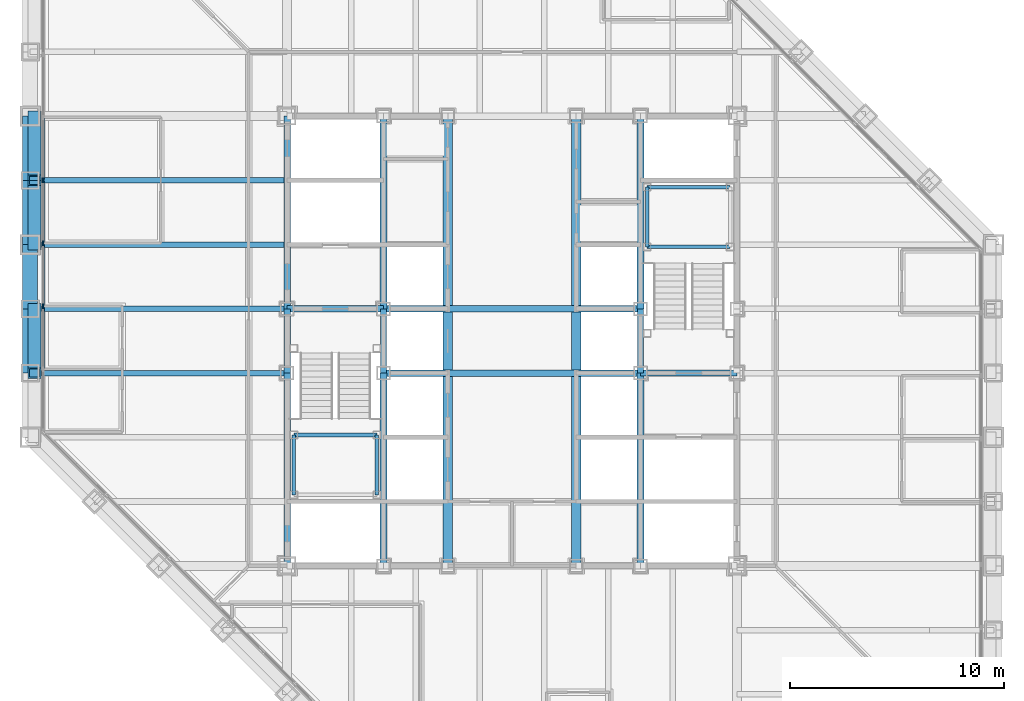
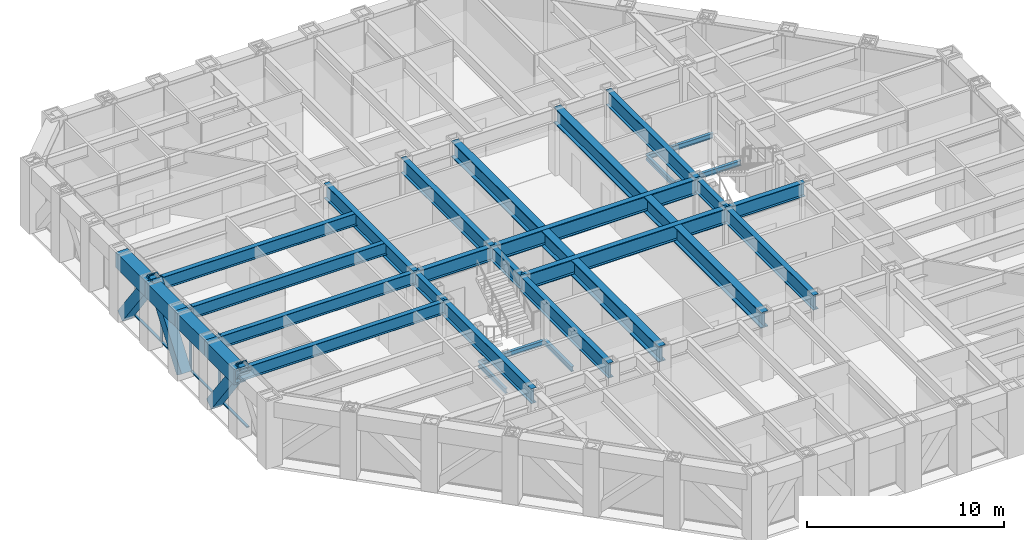
# One storey, part 5 of 17: 33 beams, 10 members, 1 element without a shape of its own.
"""IFC4 building model written with IfcOpenShell, lengths in metres."""

from ifc_helpers import new_model, si_unit, direction, frame, origin, origin_2d, place, context, subcontext, project, spatial, rectangle, hollow_rectangle, i_section, extrude, material, layer, layer_set, material_profile, profile_set, type_object, element, aggregate, save


model = new_model("IFC4")

# Units and contexts
model_context = context("Model", 3, precision=1e-05, world=origin(), true_north=direction((0.0, 1.0)))
body_context = subcontext(model_context, "Body", "Model", "MODEL_VIEW")
ifc_project = project(units=[si_unit("LENGTHUNIT", "METRE"), si_unit("AREAUNIT", "SQUARE_METRE"), si_unit("VOLUMEUNIT", "CUBIC_METRE"), si_unit("PLANEANGLEUNIT", "RADIAN"), si_unit("MASSUNIT", "GRAM", prefix="KILO")], contexts=[model_context])

# Site, building, storey
site_placement = place(None, origin())
site = spatial("IfcSite", under=ifc_project, at=site_placement, CompositionType="ELEMENT")
building_placement = place(site_placement, origin())
building = spatial("IfcBuilding", under=site, at=building_placement, Name="Chuquiago Exchange Tower", CompositionType="ELEMENT")
storey_placement = place(building_placement, frame((0.0, 0.0, 169.800048828125)))
storey = spatial("IfcBuildingStorey", under=building, at=storey_placement, Name="L37", CompositionType="ELEMENT", Elevation=169.800048828125)

# Beams
ifc_material_1 = material(Name="Steel ASTM A992", Category="steel")
ifc_material_profile_1 = material_profile(ifc_material_1, i_section(OverallWidth=0.307373046875, OverallDepth=0.927001953125, WebThickness=0.01953125, FlangeThickness=0.031982421875, at=origin_2d()), Name="W36X194")
ifc_profile_set_1 = profile_set([ifc_material_profile_1], Name="Steel ASTM A992")
beam_type_1 = type_object("IfcBeamType", Name="B10 W36X194", PredefinedType="BEAM", material=ifc_profile_set_1)
for number, where, z_axis, x_axis, name in (
    (1, (12.0, 12.0, 3.576416015625), (0.0, 1.0, 0.0), (-1.0, 0.0, 0.0), "CB-L38-12_12-12_21"),
    (2, (12.0, 24.0, 3.576416015625), (0.0, 1.0, 0.0), (-1.0, 0.0, 0.0), "CB-L38-12_24-12_33"),
    (3, (16.5, 12.0, 3.576416015625), (0.0, 1.0, 0.0), (-1.0, 0.0, 0.0), "CB-L38-16.5_12-16.5_21"),
    (4, (16.5, 24.0, 3.576416015625), (0.0, 1.0, 0.0), (-1.0, 0.0, 0.0), "CB-L38-16.5_24-16.5_33"),
    (5, (28.5, 12.0, 3.576416015625), (0.0, 1.0, 0.0), (-1.0, 0.0, 0.0), "CB-L38-28.5_12-28.5_21"),
    (6, (28.5, 24.0, 3.576416015625), (0.0, 1.0, 0.0), (-1.0, 0.0, 0.0), "CB-L38-28.5_24-28.5_33"),
):
    element("IfcBeam", number, at=place(storey_placement, frame(where, z_axis=z_axis, x_axis=x_axis)), inside=storey, type_object=beam_type_1, Name=name, PredefinedType="BEAM", context=body_context, shape_type="SweptSolid", body=[
        extrude(i_section(OverallWidth=0.307373046875, OverallDepth=0.927001953125, WebThickness=0.01953125, FlangeThickness=0.031982421875, at=origin_2d()), origin(), (0.0, 0.0, 1.0), 9.0),
    ])
ifc_material_2 = material(Name="Steel ASTM A992", Category="steel")
ifc_material_profile_2 = material_profile(ifc_material_2, i_section(OverallWidth=0.309814453125, OverallDepth=0.949951171875, WebThickness=0.0244140625, FlangeThickness=0.0439453125, at=origin_2d()), Name="W36X256")
ifc_profile_set_2 = profile_set([ifc_material_profile_2], Name="Steel ASTM A992")
beam_type_2 = type_object("IfcBeamType", Name="B11 W36X256", PredefinedType="BEAM", material=ifc_profile_set_2)
for number, where, z_axis, x_axis, name in (
    (7, (16.5, 21.0, 3.56494140625), (1.0, 0.0, 0.0), (0.0, 1.0, 0.0), "CB-L38-16.5_21-28.5_21"),
    (8, (16.5, 24.0, 3.56494140625), (1.0, 0.0, 0.0), (0.0, 1.0, 0.0), "CB-L38-16.5_24-28.5_24"),
):
    element("IfcBeam", number, at=place(storey_placement, frame(where, z_axis=z_axis, x_axis=x_axis)), inside=storey, type_object=beam_type_2, Name=name, PredefinedType="BEAM", context=body_context, shape_type="SweptSolid", body=[
        extrude(i_section(OverallWidth=0.309814453125, OverallDepth=0.949951171875, WebThickness=0.0244140625, FlangeThickness=0.0439453125, at=origin_2d()), origin(), (0.0, 0.0, 1.0), 12.0),
    ])
ifc_material_3 = material(Name="Steel ASTM A992", Category="steel")
ifc_material_profile_3 = material_profile(ifc_material_3, i_section(OverallWidth=0.4267578125, OverallDepth=0.975341796875, WebThickness=0.031005859375, FlangeThickness=0.055908203125, at=origin_2d()), Name="W36X395")
ifc_profile_set_3 = profile_set([ifc_material_profile_3], Name="Steel ASTM A992")
beam_type_3 = type_object("IfcBeamType", Name="B12 W36X395", PredefinedType="BEAM", material=ifc_profile_set_3)
beam_1_placement = place(storey_placement, frame((19.5, 12.0, 3.55224609375), z_axis=(0.0, 1.0, 0.0), x_axis=(-1.0, 0.0, 0.0)))
element("IfcBeam", 9, at=beam_1_placement, inside=storey, type_object=beam_type_3, Name="CB-L38-19.5_12-19.5_20.8451", PredefinedType="BEAM", context=body_context, shape_type="SweptSolid", body=[
    extrude(i_section(OverallWidth=0.4267578125, OverallDepth=0.975341796875, WebThickness=0.031005859375, FlangeThickness=0.055908203125, at=origin_2d()), origin(), (0.0, 0.0, 1.0), 8.84521484375),
])
beam_2_placement = place(storey_placement, frame((19.5, 21.15478515625, 3.55224609375), z_axis=(0.0, 1.0, 0.0), x_axis=(-1.0, 0.0, 0.0)))
element("IfcBeam", 10, at=beam_2_placement, inside=storey, type_object=beam_type_3, Name="CB-L38-19.5_21.1549-19.5_23.8451", PredefinedType="BEAM", context=body_context, shape_type="SweptSolid", body=[
    extrude(i_section(OverallWidth=0.4267578125, OverallDepth=0.975341796875, WebThickness=0.031005859375, FlangeThickness=0.055908203125, at=origin_2d()), origin(), (0.0, 0.0, 1.0), 2.6904296875),
])
for number, where, z_axis, x_axis, name in (
    (11, (19.5, 24.15478515625, 3.55224609375), (0.0, 1.0, 0.0), (-1.0, 0.0, 0.0), "CB-L38-19.5_24.1549-19.5_33"),
    (12, (25.5, 12.0, 3.55224609375), (0.0, 1.0, 0.0), (-1.0, 0.0, 0.0), "CB-L38-25.5_12-25.5_20.8451"),
):
    element("IfcBeam", number, at=place(storey_placement, frame(where, z_axis=z_axis, x_axis=x_axis)), inside=storey, type_object=beam_type_3, Name=name, PredefinedType="BEAM", context=body_context, shape_type="SweptSolid", body=[
        extrude(i_section(OverallWidth=0.4267578125, OverallDepth=0.975341796875, WebThickness=0.031005859375, FlangeThickness=0.055908203125, at=origin_2d()), origin(), (0.0, 0.0, 1.0), 8.84521484375),
    ])
beam_3_placement = place(storey_placement, frame((25.5, 21.15478515625, 3.55224609375), z_axis=(0.0, 1.0, 0.0), x_axis=(-1.0, 0.0, 0.0)))
element("IfcBeam", 13, at=beam_3_placement, inside=storey, type_object=beam_type_3, Name="CB-L38-25.5_21.1549-25.5_23.8451", PredefinedType="BEAM", context=body_context, shape_type="SweptSolid", body=[
    extrude(i_section(OverallWidth=0.4267578125, OverallDepth=0.975341796875, WebThickness=0.031005859375, FlangeThickness=0.055908203125, at=origin_2d()), origin(), (0.0, 0.0, 1.0), 2.6904296875),
])
beam_4_placement = place(storey_placement, frame((25.5, 24.15478515625, 3.55224609375), z_axis=(0.0, 1.0, 0.0), x_axis=(-1.0, 0.0, 0.0)))
element("IfcBeam", 14, at=beam_4_placement, inside=storey, type_object=beam_type_3, Name="CB-L38-25.5_24.1549-25.5_33", PredefinedType="BEAM", context=body_context, shape_type="SweptSolid", body=[
    extrude(i_section(OverallWidth=0.4267578125, OverallDepth=0.975341796875, WebThickness=0.031005859375, FlangeThickness=0.055908203125, at=origin_2d()), origin(), (0.0, 0.0, 1.0), 8.84521484375),
])
ifc_material_4 = material(Name="Steel ASTM A992", Category="steel")
ifc_material_profile_4 = material_profile(ifc_material_4, i_section(OverallWidth=0.2919921875, OverallDepth=0.8583984375, WebThickness=0.01708984375, FlangeThickness=0.031005859375, at=origin_2d()), Name="W33X169")
ifc_profile_set_4 = profile_set([ifc_material_profile_4], Name="Steel ASTM A992")
beam_type_4 = type_object("IfcBeamType", Name="B3 W33X169", PredefinedType="BEAM", material=ifc_profile_set_4)
for number, where, z_axis, x_axis, name in (
    (15, (12.0, 21.0, 3.610595703125), (0.0, 1.0, 0.0), (-1.0, 0.0, 0.0), "CB-L38-12_21-12_24"),
    (16, (16.5, 21.0, 3.610595703125), (0.0, 1.0, 0.0), (-1.0, 0.0, 0.0), "CB-L38-16.5_21-16.5_24"),
    (17, (28.5, 21.0, 3.610595703125), (0.0, 1.0, 0.0), (-1.0, 0.0, 0.0), "CB-L38-28.5_21-28.5_24"),
):
    element("IfcBeam", number, at=place(storey_placement, frame(where, z_axis=z_axis, x_axis=x_axis)), inside=storey, type_object=beam_type_4, Name=name, PredefinedType="BEAM", context=body_context, shape_type="SweptSolid", body=[
        extrude(i_section(OverallWidth=0.2919921875, OverallDepth=0.8583984375, WebThickness=0.01708984375, FlangeThickness=0.031005859375, at=origin_2d()), origin(), (0.0, 0.0, 1.0), 3.0),
    ])
for number, where, z_axis, x_axis, name in (
    (18, (28.5, 21.0, 3.610595703125), (1.0, 0.0, 0.0), (0.0, 1.0, 0.0), "CB-L38-28.5_21-33_21"),
    (19, (12.0, 24.0, 3.610595703125), (1.0, 0.0, 0.0), (0.0, 1.0, 0.0), "CB-L38-12_24-16.5_24"),
):
    element("IfcBeam", number, at=place(storey_placement, frame(where, z_axis=z_axis, x_axis=x_axis)), inside=storey, type_object=beam_type_4, Name=name, PredefinedType="BEAM", context=body_context, shape_type="SweptSolid", body=[
        extrude(i_section(OverallWidth=0.2919921875, OverallDepth=0.8583984375, WebThickness=0.01708984375, FlangeThickness=0.031005859375, at=origin_2d()), origin(), (0.0, 0.0, 1.0), 4.5),
    ])
ifc_material_5 = material(Name="Steel ASTM A992", Category="steel")
ifc_material_profile_5 = material_profile(ifc_material_5, i_section(OverallWidth=0.2666015625, OverallDepth=0.761962890625, WebThickness=0.014404296875, FlangeThickness=0.021484375, at=origin_2d()), Name="W30X116")
ifc_profile_set_5 = profile_set([ifc_material_profile_5], Name="Steel ASTM A992")
beam_type_5 = type_object("IfcBeamType", Name="B8 W30X116", PredefinedType="BEAM", material=ifc_profile_set_5)
for number, where, z_axis, x_axis, name in (
    (20, (12.0, 21.0, 3.658935546875), (-1.0, 0.0, 0.0), (0.0, -1.0, 0.0), "FB-L38-infill-12_21--0_21-0"),
    (21, (12.0, 24.0, 3.658935546875), (-1.0, 0.0, 0.0), (0.0, -1.0, 0.0), "FB-L38-infill-12_24--0_24-0"),
    (22, (12.0, 27.0, 3.658935546875), (-1.0, 0.0, 0.0), (0.0, -1.0, 0.0), "FB-L38-infill-12_27--0_27-0"),
    (23, (12.0, 30.0, 3.658935546875), (-1.0, 0.0, 0.0), (0.0, -1.0, 0.0), "FB-L38-infill-12_30--0_30-0"),
):
    element("IfcBeam", number, at=place(storey_placement, frame(where, z_axis=z_axis, x_axis=x_axis)), inside=storey, type_object=beam_type_5, Name=name, PredefinedType="BEAM", context=body_context, shape_type="SweptSolid", body=[
        extrude(i_section(OverallWidth=0.2666015625, OverallDepth=0.761962890625, WebThickness=0.014404296875, FlangeThickness=0.021484375, at=origin_2d()), origin(), (0.0, 0.0, 1.0), 12.0),
    ])

# Curtain wall, members
ifc_material_6 = material(Name="Aluminium curtain wall system", Category="aluminium")
ifc_layer = layer(ifc_material_6, 0.22509765625)
ifc_layer_set = layer_set([ifc_layer], Name="CW2 office curtain wall")
curtain_wall_type = type_object("IfcCurtainWallType", Name="CW2 office curtain wall", PredefinedType="NOTDEFINED", material=ifc_layer_set)
curtain_wall_placement = place(storey_placement, origin())
curtain_wall = element("IfcCurtainWall", 24, at=curtain_wall_placement, inside=storey, type_object=curtain_wall_type, Name="CW2 curtain wall L37", PredefinedType="NOTDEFINED")
ifc_material_7 = material(Name="Aluminium mullion, pale anodised", Category="aluminium")
ifc_material_profile_6 = material_profile(ifc_material_7, rectangle(XDim=0.06494140625, YDim=0.22509765625, at=origin_2d()), Name="AL 65x225")
ifc_profile_set_6 = profile_set([ifc_material_profile_6], Name="Aluminium mullion, pale anodised")
member_type_1 = type_object("IfcMemberType", Name="CW2-M mullion 65x225", PredefinedType="MULLION", material=ifc_profile_set_6)
member_1_placement = place(storey_placement, frame((0.60009765625, 30.0, 0.0), z_axis=(0.0, 0.0, 1.0), x_axis=(1.0, 0.0, 0.0)))
member_1 = element("IfcMember", 25, at=member_1_placement, type_object=member_type_1, Name="CW2 mullion 5", PredefinedType="MULLION", context=body_context, shape_type="SweptSolid", body=[
    extrude(rectangle(XDim=0.06494140625, YDim=0.22509765625, at=origin_2d()), origin(), (0.0, 0.0, 1.0), 4.0400390625),
])
member_2_placement = place(storey_placement, frame((0.60009765625, 27.06201171875, 0.0), z_axis=(0.0, 0.0, 1.0), x_axis=(1.0, 0.0, 0.0)))
member_2 = element("IfcMember", 26, at=member_2_placement, type_object=member_type_1, Name="CW2 mullion 6", PredefinedType="MULLION", context=body_context, shape_type="SweptSolid", body=[
    extrude(rectangle(XDim=0.06494140625, YDim=0.22509765625, at=origin_2d()), origin(), (0.0, 0.0, 1.0), 4.0400390625),
])
member_3_placement = place(storey_placement, frame((0.60009765625, 24.124267578125, 0.0), z_axis=(0.0, 0.0, 1.0), x_axis=(1.0, 0.0, 0.0)))
member_3 = element("IfcMember", 27, at=member_3_placement, type_object=member_type_1, Name="CW2 mullion 7", PredefinedType="MULLION", context=body_context, shape_type="SweptSolid", body=[
    extrude(rectangle(XDim=0.06494140625, YDim=0.22509765625, at=origin_2d()), origin(), (0.0, 0.0, 1.0), 4.0400390625),
])
ifc_material_8 = material(Name="Aluminium transom, pale anodised", Category="aluminium")
ifc_material_profile_7 = material_profile(ifc_material_8, rectangle(XDim=0.139892578125, YDim=0.06494140625, at=origin_2d()), Name="AL 140x65")
ifc_profile_set_7 = profile_set([ifc_material_profile_7], Name="Aluminium transom, pale anodised")
member_type_2 = type_object("IfcMemberType", Name="CW2-T transom 65x140", PredefinedType="MULLION", material=ifc_profile_set_7)
member_4_placement = place(storey_placement, frame((0.60009765625, 32.9052734375, 0.032470703125), z_axis=(0.0, -1.0, 0.0), x_axis=(1.0, 0.0, 0.0)))
member_4 = element("IfcMember", 28, at=member_4_placement, type_object=member_type_2, Name="CW2 transom 4.1", PredefinedType="MULLION", context=body_context, shape_type="SweptSolid", body=[
    extrude(rectangle(XDim=0.139892578125, YDim=0.06494140625, at=origin_2d()), origin(), (0.0, 0.0, 1.0), 2.872802734375),
])
member_5_placement = place(storey_placement, frame((0.60009765625, 29.967529296875, 0.032470703125), z_axis=(0.0, -1.0, 0.0), x_axis=(1.0, 0.0, 0.0)))
member_5 = element("IfcMember", 29, at=member_5_placement, type_object=member_type_2, Name="CW2 transom 5.1", PredefinedType="MULLION", context=body_context, shape_type="SweptSolid", body=[
    extrude(rectangle(XDim=0.139892578125, YDim=0.06494140625, at=origin_2d()), origin(), (0.0, 0.0, 1.0), 2.872802734375),
])
member_6_placement = place(storey_placement, frame((0.60009765625, 27.029541015625, 0.032470703125), z_axis=(0.0, -1.0, 0.0), x_axis=(1.0, 0.0, 0.0)))
member_6 = element("IfcMember", 30, at=member_6_placement, type_object=member_type_2, Name="CW2 transom 6.1", PredefinedType="MULLION", context=body_context, shape_type="SweptSolid", body=[
    extrude(rectangle(XDim=0.139892578125, YDim=0.06494140625, at=origin_2d()), origin(), (0.0, 0.0, 1.0), 2.872802734375),
])
member_7_placement = place(storey_placement, frame((0.60009765625, 24.091796875, 0.032470703125), z_axis=(0.0, -1.0, 0.0), x_axis=(1.0, 0.0, 0.0)))
member_7 = element("IfcMember", 31, at=member_7_placement, type_object=member_type_2, Name="CW2 transom 7.1", PredefinedType="MULLION", context=body_context, shape_type="SweptSolid", body=[
    extrude(rectangle(XDim=0.139892578125, YDim=0.06494140625, at=origin_2d()), origin(), (0.0, 0.0, 1.0), 2.872802734375),
])
aggregate(curtain_wall, [member_1, member_2, member_3, member_4, member_5, member_6, member_7])

# Beams
ifc_material_9 = material(Name="Steel ASTM A992", Category="steel")
ifc_material_profile_8 = material_profile(ifc_material_9, i_section(OverallWidth=0.164794921875, OverallDepth=0.309814453125, WebThickness=0.005859375, FlangeThickness=0.009765625, at=origin_2d()), Name="W12X26")
ifc_profile_set_8 = profile_set([ifc_material_profile_8], Name="Steel ASTM A992")
beam_type_6 = type_object("IfcBeamType", Name="LS1 W12X26", PredefinedType="BEAM", material=ifc_profile_set_8)
for number, where, z_axis, x_axis, name in (
    (32, (12.31005859375, 15.31005859375, 1.7451171875), (0.0, 1.0, 0.0), (-1.0, 0.0, 0.0), "Stair ST1 L37 landing 1 stringer"),
    (33, (16.18994140625, 15.31005859375, 1.7451171875), (0.0, 1.0, 0.0), (-1.0, 0.0, 0.0), "Stair ST1 L37 landing 1 stringer"),
    (34, (28.81005859375, 26.889892578125, 1.7451171875), (0.0, 1.0, 0.0), (-1.0, 0.0, 0.0), "Stair ST2 L37 landing 1 stringer"),
):
    element("IfcBeam", number, at=place(storey_placement, frame(where, z_axis=z_axis, x_axis=x_axis)), inside=storey, type_object=beam_type_6, Name=name, PredefinedType="BEAM", context=body_context, shape_type="SweptSolid", body=[
        extrude(i_section(OverallWidth=0.164794921875, OverallDepth=0.309814453125, WebThickness=0.005859375, FlangeThickness=0.009765625, at=origin_2d()), origin(), (0.0, 0.0, 1.0), 2.800048828125),
    ])
ifc_material_10 = material(Name="Steel ASTM A992", Category="steel")
ifc_material_profile_9 = material_profile(ifc_material_10, i_section(OverallWidth=0.164794921875, OverallDepth=0.309814453125, WebThickness=0.005859375, FlangeThickness=0.009765625, at=origin_2d()), Name="W12X26")
ifc_profile_set_9 = profile_set([ifc_material_profile_9], Name="Steel ASTM A992")
beam_type_7 = type_object("IfcBeamType", Name="LT1 W12X26", PredefinedType="BEAM", material=ifc_profile_set_9)
for number, where, z_axis, x_axis, name in (
    (35, (12.31005859375, 18.110107421875, 1.7451171875), (1.0, 0.0, 0.0), (0.0, 1.0, 0.0), "Stair ST1 L37 landing 1 trimmer"),
    (36, (28.81005859375, 29.68994140625, 1.7451171875), (1.0, 0.0, 0.0), (0.0, 1.0, 0.0), "Stair ST2 L37 landing 1 trimmer"),
    (37, (28.81005859375, 26.889892578125, 1.7451171875), (1.0, 0.0, 0.0), (0.0, 1.0, 0.0), "Stair ST2 L37 landing 1 trimmer"),
):
    element("IfcBeam", number, at=place(storey_placement, frame(where, z_axis=z_axis, x_axis=x_axis)), inside=storey, type_object=beam_type_7, Name=name, PredefinedType="BEAM", context=body_context, shape_type="SweptSolid", body=[
        extrude(i_section(OverallWidth=0.164794921875, OverallDepth=0.309814453125, WebThickness=0.005859375, FlangeThickness=0.009765625, at=origin_2d()), origin(), (0.0, 0.0, 1.0), 3.8798828125),
    ])

# Members
ifc_material_11 = material(Name="Steel ASTM A572 Grade 50", Category="steel")
ifc_material_profile_10 = material_profile(ifc_material_11, hollow_rectangle(XDim=0.60009765625, YDim=0.60009765625, WallThickness=0.06005859375, at=origin_2d()), Name="BOX600X600X60")
ifc_profile_set_10 = profile_set([ifc_material_profile_10], Name="Steel ASTM A572 Grade 50")
member_type_3 = type_object("IfcMemberType", Name="MB2 BOX600X600X60", PredefinedType="BRACE", material=ifc_profile_set_10)
for number, where, z_axis, x_axis, name in (
    (38, (0.205078125, 33.0, 0.0), (0.0, -0.596173923302, 0.802855312728), (1.0, 0.0, 0.0), "Mega diagonal L37 W face"),
    (39, (0.205078125, 27.0, 0.0), (0.0, 0.596173923302, 0.802855312728), (-1.0, 0.0, 0.0), "Mega diagonal L37 W face"),
    (40, (0.205078125, 24.0, 0.0), (0.0, -0.596173923302, 0.802855312728), (1.0, 0.0, 0.0), "Mega diagonal L37 W face"),
):
    element("IfcMember", number, at=place(storey_placement, frame(where, z_axis=z_axis, x_axis=x_axis)), inside=storey, type_object=member_type_3, Name=name, PredefinedType="BRACE", context=body_context, shape_type="SweptSolid", body=[
        extrude(hollow_rectangle(XDim=0.60009765625, YDim=0.60009765625, WallThickness=0.06005859375, at=origin_2d()), origin(), (0.0, 0.0, 1.0), 5.031982421875),
    ])

# Beams
ifc_material_12 = material(Name="Steel ASTM A572 Grade 50", Category="steel")
ifc_material_profile_11 = material_profile(ifc_material_12, hollow_rectangle(XDim=0.699951171875, YDim=0.949951171875, WallThickness=0.10009765625, at=origin_2d()), Name="BOX950X700X100")
ifc_profile_set_11 = profile_set([ifc_material_profile_11], Name="Steel ASTM A572 Grade 50")
beam_type_8 = type_object("IfcBeamType", Name="SP5 BOX950X700X100", PredefinedType="SPANDREL", material=ifc_profile_set_11)
for number, where, z_axis, x_axis, name in (
    (41, (0.0, 33.0, 3.56494140625), (0.0, -1.0, 0.0), (1.0, 0.0, 0.0), "SPB-L38-0_33-0_30"),
    (42, (0.0, 30.0, 3.56494140625), (0.0, -1.0, 0.0), (1.0, 0.0, 0.0), "SPB-L38-0_30-0_27"),
    (43, (0.0, 27.0, 3.56494140625), (0.0, -1.0, 0.0), (1.0, 0.0, 0.0), "SPB-L38-0_27-0_24"),
    (44, (0.0, 24.0, 3.56494140625), (0.0, -1.0, 0.0), (1.0, 0.0, 0.0), "SPB-L38-0_24-0_21"),
):
    element("IfcBeam", number, at=place(storey_placement, frame(where, z_axis=z_axis, x_axis=x_axis)), inside=storey, type_object=beam_type_8, Name=name, PredefinedType="SPANDREL", context=body_context, shape_type="SweptSolid", body=[
        extrude(hollow_rectangle(XDim=0.699951171875, YDim=0.949951171875, WallThickness=0.10009765625, at=origin_2d()), origin(), (0.0, 0.0, 1.0), 3.0),
    ])

save(model, "model.ifc")
